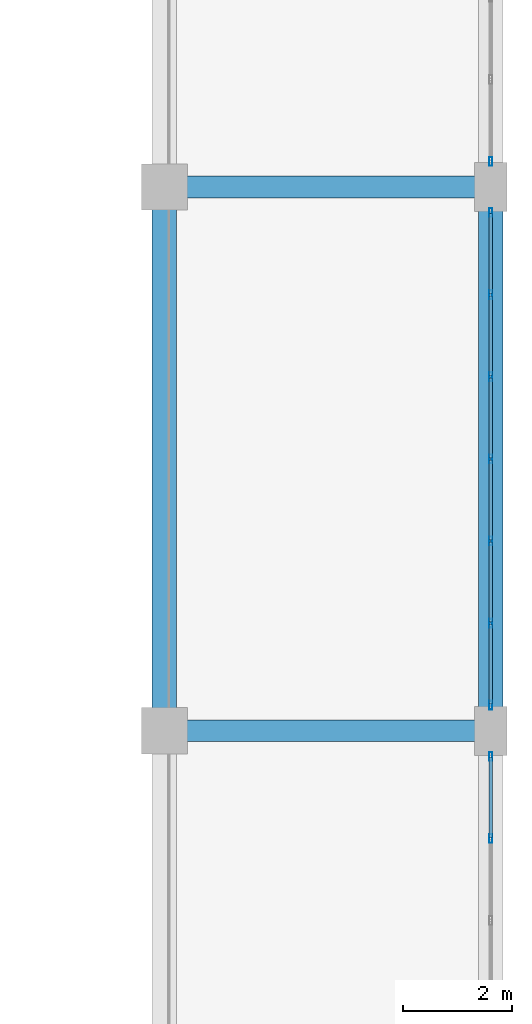
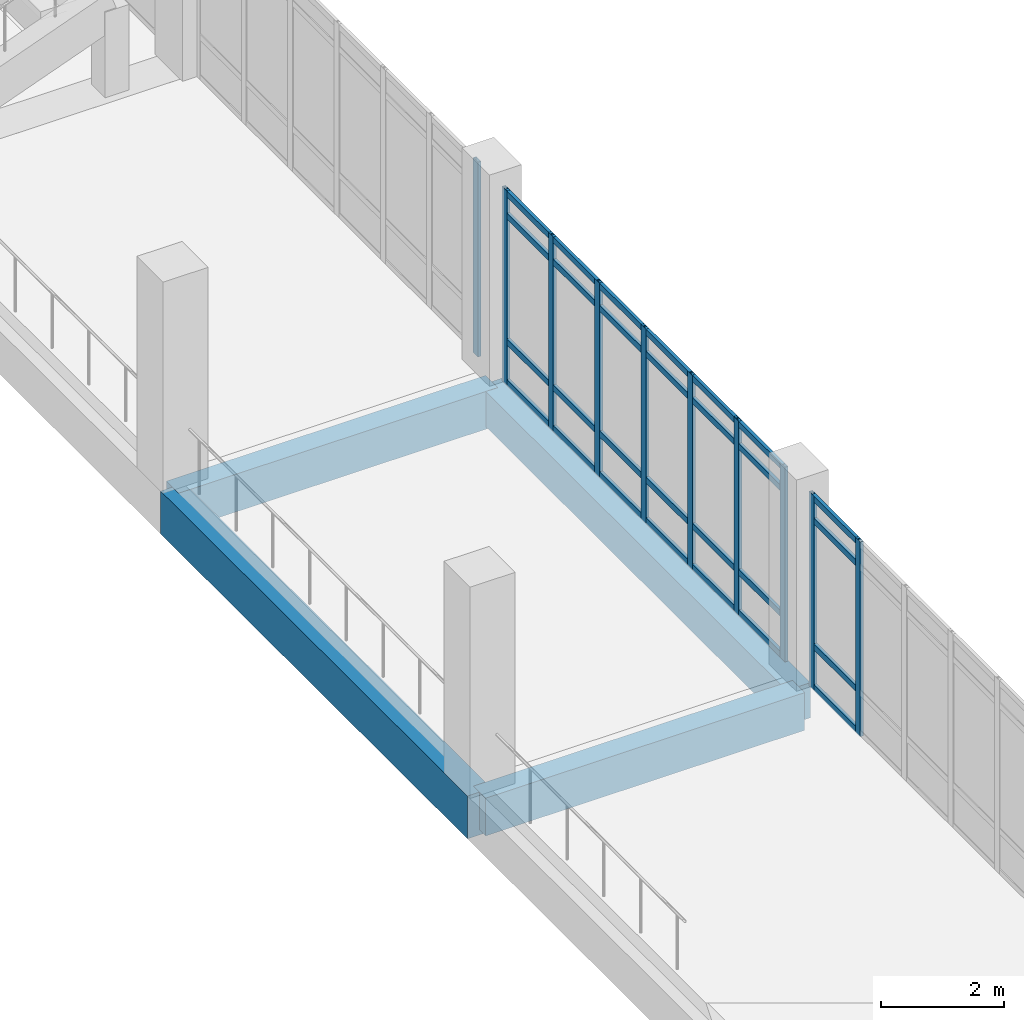
# One storey, part 104 of 161: 38 members, 4 beams, 3 elements without a shape of their own.
"""IFC4 building model written with IfcOpenShell, lengths in metres."""

from ifc_helpers import new_model, si_unit, direction, frame, origin, origin_2d, place, context, subcontext, project, spatial, rectangle, hollow_rectangle, extrude, material, layer, layer_set, material_profile, profile_set, type_object, element, aggregate, save


model = new_model("IFC4")

# Units and contexts
model_context = context("Model", 3, precision=1e-05, world=origin(), true_north=direction((0.0, 1.0)))
body_context = subcontext(model_context, "Body", "Model", "MODEL_VIEW")
ifc_project = project(units=[si_unit("LENGTHUNIT", "METRE"), si_unit("AREAUNIT", "SQUARE_METRE"), si_unit("VOLUMEUNIT", "CUBIC_METRE"), si_unit("PLANEANGLEUNIT", "RADIAN"), si_unit("MASSUNIT", "GRAM", prefix="KILO")], contexts=[model_context])

# Site, building, storey
site_placement = place(None, origin())
site = spatial("IfcSite", under=ifc_project, at=site_placement, CompositionType="ELEMENT")
building_placement = place(site_placement, origin())
building = spatial("IfcBuilding", under=site, at=building_placement, Name="Mersad Railyard Sports Hall", CompositionType="ELEMENT")
storey_placement = place(building_placement, frame((0.0, 0.0, 4.800048828125)))
storey = spatial("IfcBuildingStorey", under=building, at=storey_placement, Name="L01", CompositionType="ELEMENT", Elevation=4.800048828125)

# Curtain wall, members
ifc_material_1 = material(Name="Aluminium 6063-T6", Category="aluminium")
ifc_layer = layer(ifc_material_1, 0.159912109375)
ifc_layer_set = layer_set([ifc_layer], Name="Aluminium 6063-T6")
curtain_wall_type = type_object("IfcCurtainWallType", Name="ARC-CW-CW14", PredefinedType="USERDEFINED", material=ifc_layer_set)
curtain_wall_1_placement = place(storey_placement, origin())
curtain_wall_1 = element("IfcCurtainWall", 1, at=curtain_wall_1_placement, inside=storey, type_object=curtain_wall_type, Name="Curtain wall CW14-0044", ObjectType="CURTAIN WALL", PredefinedType="USERDEFINED")
ifc_material_profile_1 = material_profile(ifc_material_1, hollow_rectangle(XDim=0.06005859375, YDim=0.159912109375, WallThickness=0.00390625, at=origin_2d()), Name="AL MULLION 60x160x4")
ifc_profile_set_1 = profile_set([ifc_material_profile_1], Name="Aluminium 6063-T6")
member_type_1 = type_object("IfcMemberType", Name="ARC-CW-MUL01", PredefinedType="MULLION", material=ifc_profile_set_1)
member_1_placement = place(storey_placement, frame((179.0, 13.030029296875, -0.02001953125), z_axis=(0.0, 0.0, 1.0), x_axis=(1.0, 0.0, 0.0)))
member_1 = element("IfcMember", 2, at=member_1_placement, type_object=member_type_1, Name="CW14 Mullion 1", PredefinedType="MULLION", context=body_context, shape_type="SweptSolid", body=[
    extrude(hollow_rectangle(XDim=0.06005859375, YDim=0.159912109375, WallThickness=0.00390625, at=origin_2d()), origin(), (0.0, 0.0, 1.0), 3.869873046875),
])
member_2_placement = place(storey_placement, frame((179.0, 11.52001953125, -0.02001953125), z_axis=(0.0, 0.0, 1.0), x_axis=(1.0, 0.0, 0.0)))
member_2 = element("IfcMember", 3, at=member_2_placement, type_object=member_type_1, Name="CW14 Mullion 2", PredefinedType="MULLION", context=body_context, shape_type="SweptSolid", body=[
    extrude(hollow_rectangle(XDim=0.06005859375, YDim=0.159912109375, WallThickness=0.00390625, at=origin_2d()), origin(), (0.0, 0.0, 1.0), 3.869873046875),
])

curtain_wall_2_placement = place(storey_placement, origin())
curtain_wall_2 = element("IfcCurtainWall", 4, at=curtain_wall_2_placement, inside=storey, type_object=curtain_wall_type, Name="Curtain wall CW14-0046", ObjectType="CURTAIN WALL", PredefinedType="USERDEFINED")
member_3_placement = place(storey_placement, frame((179.0, 23.030029296875, -0.02001953125), z_axis=(0.0, 0.0, 1.0), x_axis=(1.0, 0.0, 0.0)))
member_3 = element("IfcMember", 5, at=member_3_placement, type_object=member_type_1, Name="CW14 Mullion 1", PredefinedType="MULLION", context=body_context, shape_type="SweptSolid", body=[
    extrude(hollow_rectangle(XDim=0.06005859375, YDim=0.159912109375, WallThickness=0.00390625, at=origin_2d()), origin(), (0.0, 0.0, 1.0), 3.869873046875),
])
member_4_placement = place(storey_placement, frame((179.0, 21.52001953125, -0.02001953125), z_axis=(0.0, 0.0, 1.0), x_axis=(1.0, 0.0, 0.0)))
member_4 = element("IfcMember", 6, at=member_4_placement, type_object=member_type_1, Name="CW14 Mullion 2", PredefinedType="MULLION", context=body_context, shape_type="SweptSolid", body=[
    extrude(hollow_rectangle(XDim=0.06005859375, YDim=0.159912109375, WallThickness=0.00390625, at=origin_2d()), origin(), (0.0, 0.0, 1.0), 3.869873046875),
])
member_5_placement = place(storey_placement, frame((179.0, 20.010009765625, -0.02001953125), z_axis=(0.0, 0.0, 1.0), x_axis=(1.0, 0.0, 0.0)))
member_5 = element("IfcMember", 7, at=member_5_placement, type_object=member_type_1, Name="CW14 Mullion 3", PredefinedType="MULLION", context=body_context, shape_type="SweptSolid", body=[
    extrude(hollow_rectangle(XDim=0.06005859375, YDim=0.159912109375, WallThickness=0.00390625, at=origin_2d()), origin(), (0.0, 0.0, 1.0), 3.869873046875),
])
member_6_placement = place(storey_placement, frame((179.0, 18.5, -0.02001953125), z_axis=(0.0, 0.0, 1.0), x_axis=(1.0, 0.0, 0.0)))
member_6 = element("IfcMember", 8, at=member_6_placement, type_object=member_type_1, Name="CW14 Mullion 4", PredefinedType="MULLION", context=body_context, shape_type="SweptSolid", body=[
    extrude(hollow_rectangle(XDim=0.06005859375, YDim=0.159912109375, WallThickness=0.00390625, at=origin_2d()), origin(), (0.0, 0.0, 1.0), 3.869873046875),
])
member_7_placement = place(storey_placement, frame((179.0, 16.989990234375, -0.02001953125), z_axis=(0.0, 0.0, 1.0), x_axis=(1.0, 0.0, 0.0)))
member_7 = element("IfcMember", 9, at=member_7_placement, type_object=member_type_1, Name="CW14 Mullion 5", PredefinedType="MULLION", context=body_context, shape_type="SweptSolid", body=[
    extrude(hollow_rectangle(XDim=0.06005859375, YDim=0.159912109375, WallThickness=0.00390625, at=origin_2d()), origin(), (0.0, 0.0, 1.0), 3.869873046875),
])
member_8_placement = place(storey_placement, frame((179.0, 15.47998046875, -0.02001953125), z_axis=(0.0, 0.0, 1.0), x_axis=(1.0, 0.0, 0.0)))
member_8 = element("IfcMember", 10, at=member_8_placement, type_object=member_type_1, Name="CW14 Mullion 6", PredefinedType="MULLION", context=body_context, shape_type="SweptSolid", body=[
    extrude(hollow_rectangle(XDim=0.06005859375, YDim=0.159912109375, WallThickness=0.00390625, at=origin_2d()), origin(), (0.0, 0.0, 1.0), 3.869873046875),
])
member_9_placement = place(storey_placement, frame((179.0, 13.969970703125, -0.02001953125), z_axis=(0.0, 0.0, 1.0), x_axis=(1.0, 0.0, 0.0)))
member_9 = element("IfcMember", 11, at=member_9_placement, type_object=member_type_1, Name="CW14 Mullion 7", PredefinedType="MULLION", context=body_context, shape_type="SweptSolid", body=[
    extrude(hollow_rectangle(XDim=0.06005859375, YDim=0.159912109375, WallThickness=0.00390625, at=origin_2d()), origin(), (0.0, 0.0, 1.0), 3.869873046875),
])

# Curtain wall, member
curtain_wall_3_placement = place(storey_placement, origin())
curtain_wall_3 = element("IfcCurtainWall", 12, at=curtain_wall_3_placement, inside=storey, type_object=curtain_wall_type, Name="Curtain wall CW14-0048", ObjectType="CURTAIN WALL", PredefinedType="USERDEFINED")
member_10_placement = place(storey_placement, frame((179.0, 23.969970703125, -0.02001953125), z_axis=(0.0, 0.0, 1.0), x_axis=(1.0, 0.0, 0.0)))
member_10 = element("IfcMember", 13, at=member_10_placement, type_object=member_type_1, Name="CW14 Mullion 7", PredefinedType="MULLION", context=body_context, shape_type="SweptSolid", body=[
    extrude(hollow_rectangle(XDim=0.06005859375, YDim=0.159912109375, WallThickness=0.00390625, at=origin_2d()), origin(), (0.0, 0.0, 1.0), 3.869873046875),
])
aggregate(curtain_wall_3, [member_10])

# Member
ifc_material_profile_2 = material_profile(ifc_material_1, hollow_rectangle(XDim=0.06005859375, YDim=0.1201171875, WallThickness=0.00390625, at=origin_2d()), Name="AL TRANSOM 60x120x4")
ifc_profile_set_2 = profile_set([ifc_material_profile_2], Name="Aluminium 6063-T6")
member_type_2 = type_object("IfcMemberType", Name="ARC-CW-TRN01", PredefinedType="USERDEFINED", material=ifc_profile_set_2)
member_11_placement = place(storey_placement, frame((179.0, 13.010009765625, 0.0400390625), z_axis=(0.0, -1.0, 0.0), x_axis=(1.0, 0.0, 0.0)))
member_11 = element("IfcMember", 14, at=member_11_placement, type_object=member_type_2, Name="CW14 Transom 1-1", ObjectType="TRANSOM", PredefinedType="USERDEFINED", context=body_context, shape_type="SweptSolid", body=[
    extrude(hollow_rectangle(XDim=0.06005859375, YDim=0.1201171875, WallThickness=0.00390625, at=origin_2d()), origin(), (0.0, 0.0, 1.0), 1.469970703125),
])

member_12_placement = place(storey_placement, frame((179.0, 13.010009765625, 0.849853515625), z_axis=(0.0, -1.0, 0.0), x_axis=(1.0, 0.0, 0.0)))
member_12 = element("IfcMember", 15, at=member_12_placement, type_object=member_type_2, Name="CW14 Transom 2-1", ObjectType="TRANSOM", PredefinedType="USERDEFINED", context=body_context, shape_type="SweptSolid", body=[
    extrude(hollow_rectangle(XDim=0.06005859375, YDim=0.1201171875, WallThickness=0.00390625, at=origin_2d()), origin(), (0.0, 0.0, 1.0), 1.469970703125),
])

member_13_placement = place(storey_placement, frame((179.0, 13.010009765625, 3.349853515625), z_axis=(0.0, -1.0, 0.0), x_axis=(1.0, 0.0, 0.0)))
member_13 = element("IfcMember", 16, at=member_13_placement, type_object=member_type_2, Name="CW14 Transom 3-1", ObjectType="TRANSOM", PredefinedType="USERDEFINED", context=body_context, shape_type="SweptSolid", body=[
    extrude(hollow_rectangle(XDim=0.06005859375, YDim=0.1201171875, WallThickness=0.00390625, at=origin_2d()), origin(), (0.0, 0.0, 1.0), 1.469970703125),
])

member_14_placement = place(storey_placement, frame((179.0, 13.010009765625, 3.7900390625), z_axis=(0.0, -1.0, 0.0), x_axis=(1.0, 0.0, 0.0)))
member_14 = element("IfcMember", 17, at=member_14_placement, type_object=member_type_2, Name="CW14 Transom 4-1", ObjectType="TRANSOM", PredefinedType="USERDEFINED", context=body_context, shape_type="SweptSolid", body=[
    extrude(hollow_rectangle(XDim=0.06005859375, YDim=0.1201171875, WallThickness=0.00390625, at=origin_2d()), origin(), (0.0, 0.0, 1.0), 1.469970703125),
])

aggregate(curtain_wall_1, [member_1, member_2, member_11, member_12, member_13, member_14])

member_15_placement = place(storey_placement, frame((179.0, 23.010009765625, 0.0400390625), z_axis=(0.0, -1.0, 0.0), x_axis=(1.0, 0.0, 0.0)))
member_15 = element("IfcMember", 18, at=member_15_placement, type_object=member_type_2, Name="CW14 Transom 1-1", ObjectType="TRANSOM", PredefinedType="USERDEFINED", context=body_context, shape_type="SweptSolid", body=[
    extrude(hollow_rectangle(XDim=0.06005859375, YDim=0.1201171875, WallThickness=0.00390625, at=origin_2d()), origin(), (0.0, 0.0, 1.0), 1.469970703125),
])

member_16_placement = place(storey_placement, frame((179.0, 21.5, 0.0400390625), z_axis=(0.0, -1.0, 0.0), x_axis=(1.0, 0.0, 0.0)))
member_16 = element("IfcMember", 19, at=member_16_placement, type_object=member_type_2, Name="CW14 Transom 1-2", ObjectType="TRANSOM", PredefinedType="USERDEFINED", context=body_context, shape_type="SweptSolid", body=[
    extrude(hollow_rectangle(XDim=0.06005859375, YDim=0.1201171875, WallThickness=0.00390625, at=origin_2d()), origin(), (0.0, 0.0, 1.0), 1.469970703125),
])

member_17_placement = place(storey_placement, frame((179.0, 19.989990234375, 0.0400390625), z_axis=(0.0, -1.0, 0.0), x_axis=(1.0, 0.0, 0.0)))
member_17 = element("IfcMember", 20, at=member_17_placement, type_object=member_type_2, Name="CW14 Transom 1-3", ObjectType="TRANSOM", PredefinedType="USERDEFINED", context=body_context, shape_type="SweptSolid", body=[
    extrude(hollow_rectangle(XDim=0.06005859375, YDim=0.1201171875, WallThickness=0.00390625, at=origin_2d()), origin(), (0.0, 0.0, 1.0), 1.469970703125),
])

member_18_placement = place(storey_placement, frame((179.0, 18.47998046875, 0.0400390625), z_axis=(0.0, -1.0, 0.0), x_axis=(1.0, 0.0, 0.0)))
member_18 = element("IfcMember", 21, at=member_18_placement, type_object=member_type_2, Name="CW14 Transom 1-4", ObjectType="TRANSOM", PredefinedType="USERDEFINED", context=body_context, shape_type="SweptSolid", body=[
    extrude(hollow_rectangle(XDim=0.06005859375, YDim=0.1201171875, WallThickness=0.00390625, at=origin_2d()), origin(), (0.0, 0.0, 1.0), 1.469970703125),
])

member_19_placement = place(storey_placement, frame((179.0, 16.969970703125, 0.0400390625), z_axis=(0.0, -1.0, 0.0), x_axis=(1.0, 0.0, 0.0)))
member_19 = element("IfcMember", 22, at=member_19_placement, type_object=member_type_2, Name="CW14 Transom 1-5", ObjectType="TRANSOM", PredefinedType="USERDEFINED", context=body_context, shape_type="SweptSolid", body=[
    extrude(hollow_rectangle(XDim=0.06005859375, YDim=0.1201171875, WallThickness=0.00390625, at=origin_2d()), origin(), (0.0, 0.0, 1.0), 1.469970703125),
])

member_20_placement = place(storey_placement, frame((179.0, 15.4599609375, 0.0400390625), z_axis=(0.0, -1.0, 0.0), x_axis=(1.0, 0.0, 0.0)))
member_20 = element("IfcMember", 23, at=member_20_placement, type_object=member_type_2, Name="CW14 Transom 1-6", ObjectType="TRANSOM", PredefinedType="USERDEFINED", context=body_context, shape_type="SweptSolid", body=[
    extrude(hollow_rectangle(XDim=0.06005859375, YDim=0.1201171875, WallThickness=0.00390625, at=origin_2d()), origin(), (0.0, 0.0, 1.0), 1.469970703125),
])

member_21_placement = place(storey_placement, frame((179.0, 23.010009765625, 0.849853515625), z_axis=(0.0, -1.0, 0.0), x_axis=(1.0, 0.0, 0.0)))
member_21 = element("IfcMember", 24, at=member_21_placement, type_object=member_type_2, Name="CW14 Transom 2-1", ObjectType="TRANSOM", PredefinedType="USERDEFINED", context=body_context, shape_type="SweptSolid", body=[
    extrude(hollow_rectangle(XDim=0.06005859375, YDim=0.1201171875, WallThickness=0.00390625, at=origin_2d()), origin(), (0.0, 0.0, 1.0), 1.469970703125),
])

member_22_placement = place(storey_placement, frame((179.0, 21.5, 0.849853515625), z_axis=(0.0, -1.0, 0.0), x_axis=(1.0, 0.0, 0.0)))
member_22 = element("IfcMember", 25, at=member_22_placement, type_object=member_type_2, Name="CW14 Transom 2-2", ObjectType="TRANSOM", PredefinedType="USERDEFINED", context=body_context, shape_type="SweptSolid", body=[
    extrude(hollow_rectangle(XDim=0.06005859375, YDim=0.1201171875, WallThickness=0.00390625, at=origin_2d()), origin(), (0.0, 0.0, 1.0), 1.469970703125),
])

member_23_placement = place(storey_placement, frame((179.0, 19.989990234375, 0.849853515625), z_axis=(0.0, -1.0, 0.0), x_axis=(1.0, 0.0, 0.0)))
member_23 = element("IfcMember", 26, at=member_23_placement, type_object=member_type_2, Name="CW14 Transom 2-3", ObjectType="TRANSOM", PredefinedType="USERDEFINED", context=body_context, shape_type="SweptSolid", body=[
    extrude(hollow_rectangle(XDim=0.06005859375, YDim=0.1201171875, WallThickness=0.00390625, at=origin_2d()), origin(), (0.0, 0.0, 1.0), 1.469970703125),
])

member_24_placement = place(storey_placement, frame((179.0, 18.47998046875, 0.849853515625), z_axis=(0.0, -1.0, 0.0), x_axis=(1.0, 0.0, 0.0)))
member_24 = element("IfcMember", 27, at=member_24_placement, type_object=member_type_2, Name="CW14 Transom 2-4", ObjectType="TRANSOM", PredefinedType="USERDEFINED", context=body_context, shape_type="SweptSolid", body=[
    extrude(hollow_rectangle(XDim=0.06005859375, YDim=0.1201171875, WallThickness=0.00390625, at=origin_2d()), origin(), (0.0, 0.0, 1.0), 1.469970703125),
])

member_25_placement = place(storey_placement, frame((179.0, 16.969970703125, 0.849853515625), z_axis=(0.0, -1.0, 0.0), x_axis=(1.0, 0.0, 0.0)))
member_25 = element("IfcMember", 28, at=member_25_placement, type_object=member_type_2, Name="CW14 Transom 2-5", ObjectType="TRANSOM", PredefinedType="USERDEFINED", context=body_context, shape_type="SweptSolid", body=[
    extrude(hollow_rectangle(XDim=0.06005859375, YDim=0.1201171875, WallThickness=0.00390625, at=origin_2d()), origin(), (0.0, 0.0, 1.0), 1.469970703125),
])

member_26_placement = place(storey_placement, frame((179.0, 15.4599609375, 0.849853515625), z_axis=(0.0, -1.0, 0.0), x_axis=(1.0, 0.0, 0.0)))
member_26 = element("IfcMember", 29, at=member_26_placement, type_object=member_type_2, Name="CW14 Transom 2-6", ObjectType="TRANSOM", PredefinedType="USERDEFINED", context=body_context, shape_type="SweptSolid", body=[
    extrude(hollow_rectangle(XDim=0.06005859375, YDim=0.1201171875, WallThickness=0.00390625, at=origin_2d()), origin(), (0.0, 0.0, 1.0), 1.469970703125),
])

member_27_placement = place(storey_placement, frame((179.0, 23.010009765625, 3.349853515625), z_axis=(0.0, -1.0, 0.0), x_axis=(1.0, 0.0, 0.0)))
member_27 = element("IfcMember", 30, at=member_27_placement, type_object=member_type_2, Name="CW14 Transom 3-1", ObjectType="TRANSOM", PredefinedType="USERDEFINED", context=body_context, shape_type="SweptSolid", body=[
    extrude(hollow_rectangle(XDim=0.06005859375, YDim=0.1201171875, WallThickness=0.00390625, at=origin_2d()), origin(), (0.0, 0.0, 1.0), 1.469970703125),
])

member_28_placement = place(storey_placement, frame((179.0, 21.5, 3.349853515625), z_axis=(0.0, -1.0, 0.0), x_axis=(1.0, 0.0, 0.0)))
member_28 = element("IfcMember", 31, at=member_28_placement, type_object=member_type_2, Name="CW14 Transom 3-2", ObjectType="TRANSOM", PredefinedType="USERDEFINED", context=body_context, shape_type="SweptSolid", body=[
    extrude(hollow_rectangle(XDim=0.06005859375, YDim=0.1201171875, WallThickness=0.00390625, at=origin_2d()), origin(), (0.0, 0.0, 1.0), 1.469970703125),
])

member_29_placement = place(storey_placement, frame((179.0, 19.989990234375, 3.349853515625), z_axis=(0.0, -1.0, 0.0), x_axis=(1.0, 0.0, 0.0)))
member_29 = element("IfcMember", 32, at=member_29_placement, type_object=member_type_2, Name="CW14 Transom 3-3", ObjectType="TRANSOM", PredefinedType="USERDEFINED", context=body_context, shape_type="SweptSolid", body=[
    extrude(hollow_rectangle(XDim=0.06005859375, YDim=0.1201171875, WallThickness=0.00390625, at=origin_2d()), origin(), (0.0, 0.0, 1.0), 1.469970703125),
])

member_30_placement = place(storey_placement, frame((179.0, 18.47998046875, 3.349853515625), z_axis=(0.0, -1.0, 0.0), x_axis=(1.0, 0.0, 0.0)))
member_30 = element("IfcMember", 33, at=member_30_placement, type_object=member_type_2, Name="CW14 Transom 3-4", ObjectType="TRANSOM", PredefinedType="USERDEFINED", context=body_context, shape_type="SweptSolid", body=[
    extrude(hollow_rectangle(XDim=0.06005859375, YDim=0.1201171875, WallThickness=0.00390625, at=origin_2d()), origin(), (0.0, 0.0, 1.0), 1.469970703125),
])

member_31_placement = place(storey_placement, frame((179.0, 16.969970703125, 3.349853515625), z_axis=(0.0, -1.0, 0.0), x_axis=(1.0, 0.0, 0.0)))
member_31 = element("IfcMember", 34, at=member_31_placement, type_object=member_type_2, Name="CW14 Transom 3-5", ObjectType="TRANSOM", PredefinedType="USERDEFINED", context=body_context, shape_type="SweptSolid", body=[
    extrude(hollow_rectangle(XDim=0.06005859375, YDim=0.1201171875, WallThickness=0.00390625, at=origin_2d()), origin(), (0.0, 0.0, 1.0), 1.469970703125),
])

member_32_placement = place(storey_placement, frame((179.0, 15.4599609375, 3.349853515625), z_axis=(0.0, -1.0, 0.0), x_axis=(1.0, 0.0, 0.0)))
member_32 = element("IfcMember", 35, at=member_32_placement, type_object=member_type_2, Name="CW14 Transom 3-6", ObjectType="TRANSOM", PredefinedType="USERDEFINED", context=body_context, shape_type="SweptSolid", body=[
    extrude(hollow_rectangle(XDim=0.06005859375, YDim=0.1201171875, WallThickness=0.00390625, at=origin_2d()), origin(), (0.0, 0.0, 1.0), 1.469970703125),
])

member_33_placement = place(storey_placement, frame((179.0, 23.010009765625, 3.7900390625), z_axis=(0.0, -1.0, 0.0), x_axis=(1.0, 0.0, 0.0)))
member_33 = element("IfcMember", 36, at=member_33_placement, type_object=member_type_2, Name="CW14 Transom 4-1", ObjectType="TRANSOM", PredefinedType="USERDEFINED", context=body_context, shape_type="SweptSolid", body=[
    extrude(hollow_rectangle(XDim=0.06005859375, YDim=0.1201171875, WallThickness=0.00390625, at=origin_2d()), origin(), (0.0, 0.0, 1.0), 1.469970703125),
])

member_34_placement = place(storey_placement, frame((179.0, 21.5, 3.7900390625), z_axis=(0.0, -1.0, 0.0), x_axis=(1.0, 0.0, 0.0)))
member_34 = element("IfcMember", 37, at=member_34_placement, type_object=member_type_2, Name="CW14 Transom 4-2", ObjectType="TRANSOM", PredefinedType="USERDEFINED", context=body_context, shape_type="SweptSolid", body=[
    extrude(hollow_rectangle(XDim=0.06005859375, YDim=0.1201171875, WallThickness=0.00390625, at=origin_2d()), origin(), (0.0, 0.0, 1.0), 1.469970703125),
])

member_35_placement = place(storey_placement, frame((179.0, 19.989990234375, 3.7900390625), z_axis=(0.0, -1.0, 0.0), x_axis=(1.0, 0.0, 0.0)))
member_35 = element("IfcMember", 38, at=member_35_placement, type_object=member_type_2, Name="CW14 Transom 4-3", ObjectType="TRANSOM", PredefinedType="USERDEFINED", context=body_context, shape_type="SweptSolid", body=[
    extrude(hollow_rectangle(XDim=0.06005859375, YDim=0.1201171875, WallThickness=0.00390625, at=origin_2d()), origin(), (0.0, 0.0, 1.0), 1.469970703125),
])

member_36_placement = place(storey_placement, frame((179.0, 18.47998046875, 3.7900390625), z_axis=(0.0, -1.0, 0.0), x_axis=(1.0, 0.0, 0.0)))
member_36 = element("IfcMember", 39, at=member_36_placement, type_object=member_type_2, Name="CW14 Transom 4-4", ObjectType="TRANSOM", PredefinedType="USERDEFINED", context=body_context, shape_type="SweptSolid", body=[
    extrude(hollow_rectangle(XDim=0.06005859375, YDim=0.1201171875, WallThickness=0.00390625, at=origin_2d()), origin(), (0.0, 0.0, 1.0), 1.469970703125),
])

member_37_placement = place(storey_placement, frame((179.0, 16.969970703125, 3.7900390625), z_axis=(0.0, -1.0, 0.0), x_axis=(1.0, 0.0, 0.0)))
member_37 = element("IfcMember", 40, at=member_37_placement, type_object=member_type_2, Name="CW14 Transom 4-5", ObjectType="TRANSOM", PredefinedType="USERDEFINED", context=body_context, shape_type="SweptSolid", body=[
    extrude(hollow_rectangle(XDim=0.06005859375, YDim=0.1201171875, WallThickness=0.00390625, at=origin_2d()), origin(), (0.0, 0.0, 1.0), 1.469970703125),
])

member_38_placement = place(storey_placement, frame((179.0, 15.4599609375, 3.7900390625), z_axis=(0.0, -1.0, 0.0), x_axis=(1.0, 0.0, 0.0)))
member_38 = element("IfcMember", 41, at=member_38_placement, type_object=member_type_2, Name="CW14 Transom 4-6", ObjectType="TRANSOM", PredefinedType="USERDEFINED", context=body_context, shape_type="SweptSolid", body=[
    extrude(hollow_rectangle(XDim=0.06005859375, YDim=0.1201171875, WallThickness=0.00390625, at=origin_2d()), origin(), (0.0, 0.0, 1.0), 1.469970703125),
])

aggregate(curtain_wall_2, [member_3, member_4, member_5, member_6, member_7, member_8, member_9, member_15, member_16, member_17, member_18, member_19, member_20, member_21, member_22, member_23, member_24, member_25, member_26, member_27, member_28, member_29, member_30, member_31, member_32, member_33, member_34, member_35, member_36, member_37, member_38])

# Beams
ifc_material_2 = material(Name="Concrete C40/50", Category="concrete")
ifc_material_profile_3 = material_profile(ifc_material_2, rectangle(XDim=0.39990234375, YDim=0.75, at=origin_2d()), Name="RC 400x750")
ifc_profile_set_3 = profile_set([ifc_material_profile_3], Name="Concrete C40/50")
beam_type_1 = type_object("IfcBeamType", Name="STR-BM-B01", PredefinedType="BEAM", material=ifc_profile_set_3)
for number, where, z_axis, x_axis, name in (
    (42, (173.0, 13.5, -0.655029296875), (1.0, 0.0, 0.0), (0.0, 1.0, 0.0), "Beam B01-0643"),
    (43, (173.0, 23.5, -0.655029296875), (1.0, 0.0, 0.0), (0.0, 1.0, 0.0), "Beam B01-0644"),
):
    element("IfcBeam", number, at=place(storey_placement, frame(where, z_axis=z_axis, x_axis=x_axis)), inside=storey, type_object=beam_type_1, Name=name, PredefinedType="BEAM", context=body_context, shape_type="SweptSolid", body=[
        extrude(rectangle(XDim=0.39990234375, YDim=0.75, at=origin_2d()), origin(), (0.0, 0.0, 1.0), 6.0),
    ])
ifc_material_profile_4 = material_profile(ifc_material_2, rectangle(XDim=0.449951171875, YDim=0.85009765625, at=origin_2d()), Name="RC 450x850")
ifc_profile_set_4 = profile_set([ifc_material_profile_4], Name="Concrete C40/50")
beam_type_2 = type_object("IfcBeamType", Name="STR-BM-B02", PredefinedType="BEAM", material=ifc_profile_set_4)
beam_1_placement = place(storey_placement, frame((173.0, 13.5, -0.705078125), z_axis=(0.0, 1.0, 0.0), x_axis=(-1.0, 0.0, 0.0)))
element("IfcBeam", 44, at=beam_1_placement, inside=storey, type_object=beam_type_2, Name="Beam B02-0648", PredefinedType="BEAM", context=body_context, shape_type="SweptSolid", body=[
    extrude(rectangle(XDim=0.449951171875, YDim=0.85009765625, at=origin_2d()), origin(), (0.0, 0.0, 1.0), 10.0),
])
ifc_material_3 = material(Name="Architectural concrete C40/50", Category="concrete")
ifc_material_profile_5 = material_profile(ifc_material_3, rectangle(XDim=0.449951171875, YDim=0.699951171875, at=origin_2d()), Name="RC 450x700")
ifc_profile_set_5 = profile_set([ifc_material_profile_5], Name="Architectural concrete C40/50")
beam_type_3 = type_object("IfcBeamType", Name="STR-BM-SP01", PredefinedType="SPANDREL", material=ifc_profile_set_5)
beam_2_placement = place(storey_placement, frame((179.0, 13.5, -0.630126953125), z_axis=(0.0, 1.0, 0.0), x_axis=(-1.0, 0.0, 0.0)))
element("IfcBeam", 45, at=beam_2_placement, inside=storey, type_object=beam_type_3, Name="Beam SP01-0655", PredefinedType="SPANDREL", context=body_context, shape_type="SweptSolid", body=[
    extrude(rectangle(XDim=0.449951171875, YDim=0.699951171875, at=origin_2d()), origin(), (0.0, 0.0, 1.0), 10.0),
])

save(model, "model.ifc")
